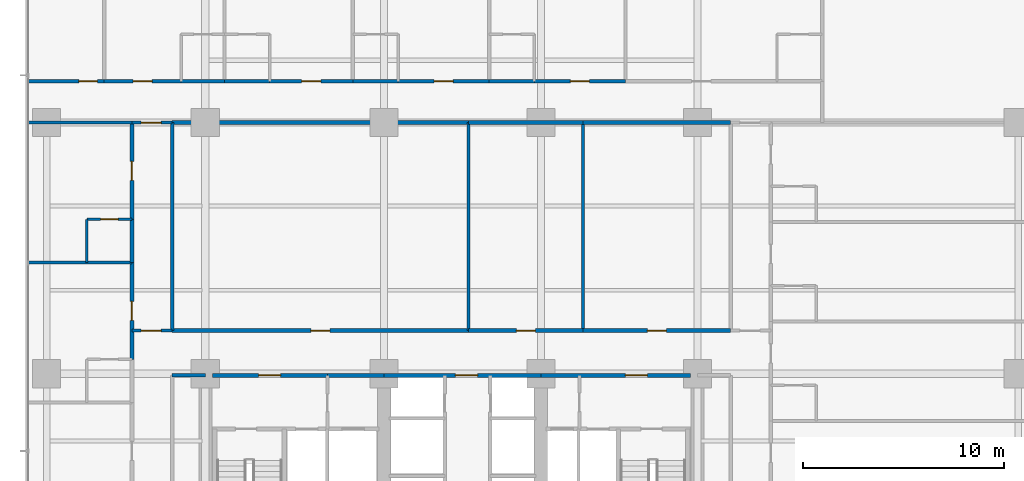
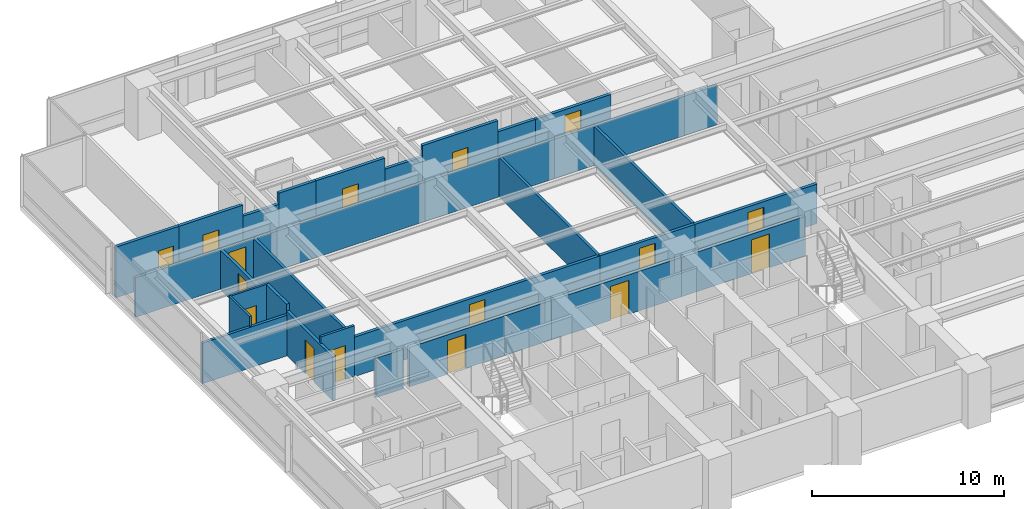
# One storey, part 9 of 17: 32 walls, 16 doors, 16 openings.
"""IFC4 building model written with IfcOpenShell, lengths in metres."""

from ifc_helpers import new_model, si_unit, direction, frame, frame_2d, origin, place, context, subcontext, project, spatial, rectangle, extrude, material, layer, layer_set, type_object, element, fill, save


model = new_model("IFC4")

# Units and contexts
model_context = context("Model", 3, precision=1e-05, world=origin(), true_north=direction((0.0, 1.0)))
body_context = subcontext(model_context, "Body", "Model", "MODEL_VIEW")
ifc_project = project(units=[si_unit("LENGTHUNIT", "METRE"), si_unit("AREAUNIT", "SQUARE_METRE"), si_unit("VOLUMEUNIT", "CUBIC_METRE"), si_unit("PLANEANGLEUNIT", "RADIAN"), si_unit("MASSUNIT", "GRAM", prefix="KILO")], contexts=[model_context])

# Site, building, storey
site_placement = place(None, origin())
site = spatial("IfcSite", under=ifc_project, at=site_placement, CompositionType="ELEMENT")
building_placement = place(site_placement, origin())
building = spatial("IfcBuilding", under=site, at=building_placement, Name="Qalmaran Belvedere Hotel", CompositionType="ELEMENT")
storey_placement = place(building_placement, frame((0.0, 0.0, 33.39990234375)))
storey = spatial("IfcBuildingStorey", under=building, at=storey_placement, Name="L07", CompositionType="ELEMENT", Elevation=33.39990234375)

# Wall, opening, door
ifc_material_1 = material(Name="Moisture-Resistant Gypsum")
ifc_layer_1 = layer(ifc_material_1, 0.1201171875, Name="Moisture-Resistant Gypsum")
ifc_layer_set_1 = layer_set([ifc_layer_1], Name="Moisture-Resistant Gypsum")
wall_type_1 = type_object("IfcWallType", Name="WL-INT-120-BATH", PredefinedType="PARTITIONING", material=ifc_layer_set_1)
wall_1_placement = place(storey_placement, frame((14.39990234375, 28.183349609375, 0.0), z_axis=(0.0, 0.0, 1.0), x_axis=(1.0, 0.0, 0.0)))
wall_1 = element("IfcWall", 1, at=wall_1_placement, inside=storey, type_object=wall_type_1, Name="L07 Partition WL-L07-WBN02", PredefinedType="PARTITIONING", context=body_context, shape_type="SweptSolid", body=[
    extrude(rectangle(XDim=2.25, YDim=0.1201171875, at=frame_2d((1.125, 0.0))), origin(), (0.0, 0.0, 1.0), 3.22021484375),
])
opening_1_placement = place(wall_1_placement, frame((1.56494140625, 0.0, 0.0), z_axis=(0.0, 0.0, 1.0), x_axis=(-1.0, 0.0, 0.0)))
opening_1 = element("IfcOpeningElement", 2, at=opening_1_placement, cuts=wall_1, Name="Opening D-BATH", PredefinedType="OPENING", context=body_context, shape_type="SweptSolid", body=[
    extrude(rectangle(XDim=0.8798828125, YDim=2.080078125, at=frame_2d((0.43994140625, 1.0400390625))), frame((0.0, 0.070068359375, 0.0), z_axis=(0.0, -1.0, 0.0), x_axis=(1.0, 0.0, 0.0)), (0.0, 0.0, 1.0), 0.14013671875),
])
ifc_material_2 = material(Name="Engineered Oak Veneer")
door_type_1 = type_object("IfcDoorType", Name="DR-INT-BATH-880X2080", OperationType="NOTDEFINED", PredefinedType="DOOR", material=ifc_material_2)
door_1_placement = place(opening_1_placement, origin())
door_1 = element("IfcDoor", 3, at=door_1_placement, inside=storey, type_object=door_type_1, Name="L07 W Ensuite Door 03", OperationType="SINGLE_SWING_RIGHT", OverallHeight=2.080078125, OverallWidth=0.8798828125, PredefinedType="DOOR", context=body_context, shape_type="SweptSolid", body=[
    extrude(rectangle(XDim=0.8798828125, YDim=2.080078125, at=frame_2d((0.43994140625, 1.0400390625))), frame((0.0, 0.02490234375, 0.0), z_axis=(0.0, -1.0, 0.0), x_axis=(1.0, 0.0, 0.0)), (0.0, 0.0, 1.0), 0.050048828125),
])
fill(opening_1, door_1)

# Wall
wall_2_placement = place(storey_placement, frame((14.39990234375, 26.033203125, 0.0), z_axis=(0.0, 0.0, 1.0), x_axis=(0.0, 1.0, 0.0)))
element("IfcWall", 4, at=wall_2_placement, inside=storey, type_object=wall_type_1, Name="L07 Partition WL-L07-WBS02", PredefinedType="PARTITIONING", context=body_context, shape_type="SweptSolid", body=[
    extrude(rectangle(XDim=2.150146484375, YDim=0.1201171875, at=frame_2d((1.0751953125, 0.0))), origin(), (0.0, 0.0, 1.0), 3.22021484375),
])

# Wall, opening, door
ifc_material_3 = material(Name="Gypsum Stud Partition")
ifc_layer_2 = layer(ifc_material_3, 0.14990234375, Name="Gypsum Stud Partition")
ifc_layer_set_2 = layer_set([ifc_layer_2], Name="Gypsum Stud Partition")
wall_type_2 = type_object("IfcWallType", Name="WL-INT-150-EI60", PredefinedType="PARTITIONING", material=ifc_layer_set_2)
wall_3_placement = place(storey_placement, frame((16.64990234375, 22.64990234375, 0.0), z_axis=(0.0, 0.0, 1.0), x_axis=(1.0, 0.0, 0.0)))
wall_3 = element("IfcWall", 5, at=wall_3_placement, inside=storey, type_object=wall_type_2, Name="L07 Partition WL-L07-XCW1", PredefinedType="PARTITIONING", context=body_context, shape_type="SweptSolid", body=[
    extrude(rectangle(XDim=2.0, YDim=0.14990234375, at=frame_2d((1.0, 0.0))), origin(), (0.0, 0.0, 1.0), 3.22021484375),
])
opening_2_placement = place(wall_3_placement, frame((0.449951171875, 0.0, 0.0)))
opening_2 = element("IfcOpeningElement", 6, at=opening_2_placement, cuts=wall_3, Name="Opening FD90B", PredefinedType="OPENING", context=body_context, shape_type="SweptSolid", body=[
    extrude(rectangle(XDim=1.0, YDim=2.14990234375, at=frame_2d((0.5, 1.074951171875))), frame((0.0, 0.0849609375, 0.0), z_axis=(0.0, -1.0, 0.0), x_axis=(1.0, 0.0, 0.0)), (0.0, 0.0, 1.0), 0.169921875),
])
ifc_material_4 = material(Name="Steel S355JR", Category="steel")
door_type_2 = type_object("IfcDoorType", Name="DR-FD90B-1000X2150", OperationType="NOTDEFINED", PredefinedType="DOOR", material=ifc_material_4)
door_2_placement = place(opening_2_placement, origin())
door_2 = element("IfcDoor", 7, at=door_2_placement, inside=storey, type_object=door_type_2, Name="L07 West Corridor Smoke Door S", OperationType="SINGLE_SWING_LEFT", OverallHeight=2.14990234375, OverallWidth=1.0, PredefinedType="DOOR", context=body_context, shape_type="SweptSolid", body=[
    extrude(rectangle(XDim=1.0, YDim=2.14990234375, at=frame_2d((0.5, 1.074951171875))), frame((0.0, 0.02490234375, 0.0), z_axis=(0.0, -1.0, 0.0), x_axis=(1.0, 0.0, 0.0)), (0.0, 0.0, 1.0), 0.050048828125),
])
fill(opening_2, door_2)

wall_4_placement = place(storey_placement, frame((16.64990234375, 33.0, 0.0), z_axis=(0.0, 0.0, 1.0), x_axis=(1.0, 0.0, 0.0)))
wall_4 = element("IfcWall", 8, at=wall_4_placement, inside=storey, type_object=wall_type_2, Name="L07 Partition WL-L07-XCW2", PredefinedType="PARTITIONING", context=body_context, shape_type="SweptSolid", body=[
    extrude(rectangle(XDim=2.0, YDim=0.14990234375, at=frame_2d((1.0, 0.0))), origin(), (0.0, 0.0, 1.0), 2.510009765625),
])
opening_3_placement = place(wall_4_placement, frame((0.449951171875, 0.0, 0.0)))
opening_3 = element("IfcOpeningElement", 9, at=opening_3_placement, cuts=wall_4, Name="Opening FD90B", PredefinedType="OPENING", context=body_context, shape_type="SweptSolid", body=[
    extrude(rectangle(XDim=1.0, YDim=2.14990234375, at=frame_2d((0.5, 1.074951171875))), frame((0.0, 0.0849609375, 0.0), z_axis=(0.0, -1.0, 0.0), x_axis=(1.0, 0.0, 0.0)), (0.0, 0.0, 1.0), 0.169921875),
])
door_3_placement = place(opening_3_placement, origin())
door_3 = element("IfcDoor", 10, at=door_3_placement, inside=storey, type_object=door_type_2, Name="L07 West Corridor Smoke Door N", OperationType="SINGLE_SWING_RIGHT", OverallHeight=2.14990234375, OverallWidth=1.0, PredefinedType="DOOR", context=body_context, shape_type="SweptSolid", body=[
    extrude(rectangle(XDim=1.0, YDim=2.14990234375, at=frame_2d((0.5, 1.074951171875))), frame((0.0, 0.02490234375, 0.0), z_axis=(0.0, -1.0, 0.0), x_axis=(1.0, 0.0, 0.0)), (0.0, 0.0, 1.0), 0.050048828125),
])
fill(opening_3, door_3)

# Walls
ifc_layer_3 = layer(ifc_material_3, 0.159912109375, Name="Gypsum Stud Partition")
ifc_layer_set_3 = layer_set([ifc_layer_3], Name="Gypsum Stud Partition")
wall_type_3 = type_object("IfcWallType", Name="WL-INT-160-EI60", PredefinedType="PARTITIONING", material=ifc_layer_set_3)
wall_5_placement = place(storey_placement, frame((18.64990234375, 20.419921875, 0.0), z_axis=(0.0, 0.0, 1.0), x_axis=(1.0, 0.0, 0.0)))
element("IfcWall", 11, at=wall_5_placement, inside=storey, type_object=wall_type_3, Name="L07 Partition WL-L07-WCLN", PredefinedType="PARTITIONING", context=body_context, shape_type="SweptSolid", body=[
    extrude(rectangle(XDim=1.650146484375, YDim=0.159912109375, at=frame_2d((0.8251953125, 0.0))), origin(), (0.0, 0.0, 1.0), 2.510009765625),
])
for number, where, z_axis, x_axis, name in (
    (12, (18.64990234375, 22.64990234375, 0.0), (0.0, 0.0, 1.0), (0.0, 1.0, 0.0), "L07 Partition WL-L07-MIDVL"),
    (13, (33.39990234375, 22.64990234375, 0.0), (0.0, 0.0, 1.0), (0.0, 1.0, 0.0), "L07 Partition WL-L07-MIDVR1"),
    (14, (39.10009765625, 22.64990234375, 0.0), (0.0, 0.0, 1.0), (0.0, 1.0, 0.0), "L07 Partition WL-L07-MIDVR2"),
):
    element("IfcWall", number, at=place(storey_placement, frame(where, z_axis=z_axis, x_axis=x_axis)), inside=storey, type_object=wall_type_3, Name=name, PredefinedType="PARTITIONING", context=body_context, shape_type="SweptSolid", body=[
        extrude(rectangle(XDim=10.35009765625, YDim=0.159912109375, at=frame_2d((5.175048828125, 0.0))), origin(), (0.0, 0.0, 1.0), 2.510009765625),
    ])
wall_6_placement = place(storey_placement, frame((11.469970703125, 26.033203125, 0.0), z_axis=(0.0, 0.0, 1.0), x_axis=(1.0, 0.0, 0.0)))
element("IfcWall", 15, at=wall_6_placement, inside=storey, type_object=wall_type_3, Name="L07 Partition WL-L07-WU01", PredefinedType="PARTITIONING", context=body_context, shape_type="SweptSolid", body=[
    extrude(rectangle(XDim=5.179931640625, YDim=0.159912109375, at=frame_2d((2.58984375, 0.0))), origin(), (0.0, 0.0, 1.0), 2.5830078125),
])
wall_7_placement = place(storey_placement, frame((11.469970703125, 33.0, 0.0), z_axis=(0.0, 0.0, 1.0), x_axis=(1.0, 0.0, 0.0)))
element("IfcWall", 16, at=wall_7_placement, inside=storey, type_object=wall_type_3, Name="L07 Partition WL-L07-WU02", PredefinedType="PARTITIONING", context=body_context, shape_type="SweptSolid", body=[
    extrude(rectangle(XDim=5.179931640625, YDim=0.159912109375, at=frame_2d((2.58984375, 0.0))), origin(), (0.0, 0.0, 1.0), 2.510009765625),
])

# Wall, opening, door
ifc_layer_4 = layer(ifc_material_3, 0.179931640625, Name="Gypsum Stud Partition")
ifc_layer_set_4 = layer_set([ifc_layer_4], Name="Gypsum Stud Partition")
wall_type_4 = type_object("IfcWallType", Name="WL-INT-180-EI60", PredefinedType="PARTITIONING", material=ifc_layer_set_4)
wall_8_placement = place(storey_placement, frame((18.64990234375, 22.64990234375, 0.0), z_axis=(0.0, 0.0, 1.0), x_axis=(1.0, 0.0, 0.0)))
wall_8 = element("IfcWall", 17, at=wall_8_placement, inside=storey, type_object=wall_type_4, Name="L07 Partition WL-L07-MIDD1", PredefinedType="PARTITIONING", context=body_context, shape_type="SweptSolid", body=[
    extrude(rectangle(XDim=14.75, YDim=0.179931640625, at=frame_2d((7.375, 0.0))), origin(), (0.0, 0.0, 1.0), 2.510009765625),
])
opening_4_placement = place(wall_8_placement, frame((6.89990234375, 0.0, 0.0)))
opening_4 = element("IfcOpeningElement", 18, at=opening_4_placement, cuts=wall_8, Name="Opening FD60", PredefinedType="OPENING", context=body_context, shape_type="SweptSolid", body=[
    extrude(rectangle(XDim=0.949951171875, YDim=2.14990234375, at=frame_2d((0.47509765625, 1.074951171875))), frame((0.0, 0.10009765625, 0.0), z_axis=(0.0, -1.0, 0.0), x_axis=(1.0, 0.0, 0.0)), (0.0, 0.0, 1.0), 0.199951171875),
])
door_type_3 = type_object("IfcDoorType", Name="DR-FD60-950X2150", OperationType="NOTDEFINED", PredefinedType="DOOR", material=ifc_material_2)
door_4_placement = place(opening_4_placement, origin())
door_4 = element("IfcDoor", 19, at=door_4_placement, inside=storey, type_object=door_type_3, Name="L07 Housekeeping and Linen Room Door", OperationType="SINGLE_SWING_LEFT", OverallHeight=2.14990234375, OverallWidth=0.949951171875, PredefinedType="DOOR", context=body_context, shape_type="SweptSolid", body=[
    extrude(rectangle(XDim=0.949951171875, YDim=2.14990234375, at=frame_2d((0.47509765625, 1.074951171875))), frame((0.0, 0.02490234375, 0.0), z_axis=(0.0, -1.0, 0.0), x_axis=(1.0, 0.0, 0.0)), (0.0, 0.0, 1.0), 0.050048828125),
])
fill(opening_4, door_4)

# Wall
wall_9_placement = place(storey_placement, frame((18.64990234375, 33.0, 0.0), z_axis=(0.0, 0.0, 1.0), x_axis=(1.0, 0.0, 0.0)))
element("IfcWall", 20, at=wall_9_placement, inside=storey, type_object=wall_type_4, Name="L07 Partition WL-L07-MIDO1", PredefinedType="PARTITIONING", context=body_context, shape_type="SweptSolid", body=[
    extrude(rectangle(XDim=14.75, YDim=0.179931640625, at=frame_2d((7.375, 0.0))), origin(), (0.0, 0.0, 1.0), 2.510009765625),
])

# Wall, opening, door
wall_10_placement = place(storey_placement, frame((33.39990234375, 22.64990234375, 0.0), z_axis=(0.0, 0.0, 1.0), x_axis=(1.0, 0.0, 0.0)))
wall_10 = element("IfcWall", 21, at=wall_10_placement, inside=storey, type_object=wall_type_4, Name="L07 Partition WL-L07-MIDD2", PredefinedType="PARTITIONING", context=body_context, shape_type="SweptSolid", body=[
    extrude(rectangle(XDim=5.7001953125, YDim=0.179931640625, at=frame_2d((2.85009765625, 0.0))), origin(), (0.0, 0.0, 1.0), 2.510009765625),
])
opening_5_placement = place(wall_10_placement, frame((2.375, 0.0, 0.0)))
opening_5 = element("IfcOpeningElement", 22, at=opening_5_placement, cuts=wall_10, Name="Opening FD60", PredefinedType="OPENING", context=body_context, shape_type="SweptSolid", body=[
    extrude(rectangle(XDim=0.949951171875, YDim=2.14990234375, at=frame_2d((0.47509765625, 1.074951171875))), frame((0.0, 0.10009765625, 0.0), z_axis=(0.0, -1.0, 0.0), x_axis=(1.0, 0.0, 0.0)), (0.0, 0.0, 1.0), 0.199951171875),
])
door_5_placement = place(opening_5_placement, origin())
door_5 = element("IfcDoor", 23, at=door_5_placement, inside=storey, type_object=door_type_3, Name="L07 Yoga Spa Door", OperationType="SINGLE_SWING_RIGHT", OverallHeight=2.14990234375, OverallWidth=0.949951171875, PredefinedType="DOOR", context=body_context, shape_type="SweptSolid", body=[
    extrude(rectangle(XDim=0.949951171875, YDim=2.14990234375, at=frame_2d((0.47509765625, 1.074951171875))), frame((0.0, 0.02490234375, 0.0), z_axis=(0.0, -1.0, 0.0), x_axis=(1.0, 0.0, 0.0)), (0.0, 0.0, 1.0), 0.050048828125),
])
fill(opening_5, door_5)

# Wall
wall_11_placement = place(storey_placement, frame((33.39990234375, 33.0, 0.0), z_axis=(0.0, 0.0, 1.0), x_axis=(1.0, 0.0, 0.0)))
element("IfcWall", 24, at=wall_11_placement, inside=storey, type_object=wall_type_4, Name="L07 Partition WL-L07-MIDO2", PredefinedType="PARTITIONING", context=body_context, shape_type="SweptSolid", body=[
    extrude(rectangle(XDim=5.7001953125, YDim=0.179931640625, at=frame_2d((2.85009765625, 0.0))), origin(), (0.0, 0.0, 1.0), 2.510009765625),
])

# Wall, opening, door
wall_12_placement = place(storey_placement, frame((39.10009765625, 22.64990234375, 0.0), z_axis=(0.0, 0.0, 1.0), x_axis=(1.0, 0.0, 0.0)))
wall_12 = element("IfcWall", 25, at=wall_12_placement, inside=storey, type_object=wall_type_4, Name="L07 Partition WL-L07-MIDD3", PredefinedType="PARTITIONING", context=body_context, shape_type="SweptSolid", body=[
    extrude(rectangle(XDim=7.349853515625, YDim=0.179931640625, at=frame_2d((3.6748046875, 0.0))), origin(), (0.0, 0.0, 1.0), 2.510009765625),
])
opening_6_placement = place(wall_12_placement, frame((3.199951171875, 0.0, 0.0)))
opening_6 = element("IfcOpeningElement", 26, at=opening_6_placement, cuts=wall_12, Name="Opening FD60", PredefinedType="OPENING", context=body_context, shape_type="SweptSolid", body=[
    extrude(rectangle(XDim=0.949951171875, YDim=2.14990234375, at=frame_2d((0.47509765625, 1.074951171875))), frame((0.0, 0.10009765625, 0.0), z_axis=(0.0, -1.0, 0.0), x_axis=(1.0, 0.0, 0.0)), (0.0, 0.0, 1.0), 0.199951171875),
])
door_6_placement = place(opening_6_placement, origin())
door_6 = element("IfcDoor", 27, at=door_6_placement, inside=storey, type_object=door_type_3, Name="L07 Fitness Gym Door", OperationType="SINGLE_SWING_LEFT", OverallHeight=2.14990234375, OverallWidth=0.949951171875, PredefinedType="DOOR", context=body_context, shape_type="SweptSolid", body=[
    extrude(rectangle(XDim=0.949951171875, YDim=2.14990234375, at=frame_2d((0.47509765625, 1.074951171875))), frame((0.0, 0.02490234375, 0.0), z_axis=(0.0, -1.0, 0.0), x_axis=(1.0, 0.0, 0.0)), (0.0, 0.0, 1.0), 0.050048828125),
])
fill(opening_6, door_6)

# Walls
wall_13_placement = place(storey_placement, frame((39.10009765625, 33.0, 0.0), z_axis=(0.0, 0.0, 1.0), x_axis=(1.0, 0.0, 0.0)))
element("IfcWall", 28, at=wall_13_placement, inside=storey, type_object=wall_type_4, Name="L07 Partition WL-L07-MIDO3", PredefinedType="PARTITIONING", context=body_context, shape_type="SweptSolid", body=[
    extrude(rectangle(XDim=7.349853515625, YDim=0.179931640625, at=frame_2d((3.6748046875, 0.0))), origin(), (0.0, 0.0, 1.0), 2.510009765625),
])
wall_14_placement = place(storey_placement, frame((19.096435546875, 35.050048828125, 0.0), z_axis=(0.0, 0.0, 1.0), x_axis=(1.0, 0.0, 0.0)))
element("IfcWall", 29, at=wall_14_placement, inside=storey, type_object=wall_type_4, Name="L07 Partition WL-L07-NBC00", PredefinedType="PARTITIONING", context=body_context, shape_type="SweptSolid", body=[
    extrude(rectangle(XDim=2.16015625, YDim=0.179931640625, at=frame_2d((1.080078125, 0.0))), origin(), (0.0, 0.0, 1.0), 2.510009765625),
])

# Wall, opening, door
wall_15_placement = place(storey_placement, frame((15.27001953125, 35.050048828125, 0.0), z_axis=(0.0, 0.0, 1.0), x_axis=(1.0, 0.0, 0.0)))
wall_15 = element("IfcWall", 30, at=wall_15_placement, inside=storey, type_object=wall_type_4, Name="L07 Partition WL-L07-NEC00", PredefinedType="PARTITIONING", context=body_context, shape_type="SweptSolid", body=[
    extrude(rectangle(XDim=3.826416015625, YDim=0.179931640625, at=frame_2d((1.9130859375, 0.0))), origin(), (0.0, 0.0, 1.0), 3.22021484375),
])
opening_7_placement = place(wall_15_placement, frame((1.438232421875, 0.0, 0.0)))
opening_7 = element("IfcOpeningElement", 31, at=opening_7_placement, cuts=wall_15, Name="Opening FD60", PredefinedType="OPENING", context=body_context, shape_type="SweptSolid", body=[
    extrude(rectangle(XDim=0.949951171875, YDim=2.14990234375, at=frame_2d((0.47509765625, 1.074951171875))), frame((0.0, 0.10009765625, 0.0), z_axis=(0.0, -1.0, 0.0), x_axis=(1.0, 0.0, 0.0)), (0.0, 0.0, 1.0), 0.199951171875),
])
door_7_placement = place(opening_7_placement, origin())
door_7 = element("IfcDoor", 32, at=door_7_placement, inside=storey, type_object=door_type_3, Name="L07 Guest Entrance Door N01", OperationType="SINGLE_SWING_LEFT", OverallHeight=2.14990234375, OverallWidth=0.949951171875, PredefinedType="DOOR", context=body_context, shape_type="SweptSolid", body=[
    extrude(rectangle(XDim=0.949951171875, YDim=2.14990234375, at=frame_2d((0.47509765625, 1.074951171875))), frame((0.0, 0.02490234375, 0.0), z_axis=(0.0, -1.0, 0.0), x_axis=(1.0, 0.0, 0.0)), (0.0, 0.0, 1.0), 0.050048828125),
])
fill(opening_7, door_7)

# Wall
wall_16_placement = place(storey_placement, frame((21.256591796875, 35.050048828125, 0.0), z_axis=(0.0, 0.0, 1.0), x_axis=(1.0, 0.0, 0.0)))
element("IfcWall", 33, at=wall_16_placement, inside=storey, type_object=wall_type_4, Name="L07 Partition WL-L07-NBC01", PredefinedType="PARTITIONING", context=body_context, shape_type="SweptSolid", body=[
    extrude(rectangle(XDim=2.25, YDim=0.179931640625, at=frame_2d((1.125, 0.0))), origin(), (0.0, 0.0, 1.0), 3.22021484375),
])

# Wall, opening, door
wall_17_placement = place(storey_placement, frame((23.506591796875, 35.050048828125, 0.0), z_axis=(0.0, 0.0, 1.0), x_axis=(1.0, 0.0, 0.0)))
wall_17 = element("IfcWall", 34, at=wall_17_placement, inside=storey, type_object=wall_type_4, Name="L07 Partition WL-L07-NEC01", PredefinedType="PARTITIONING", context=body_context, shape_type="SweptSolid", body=[
    extrude(rectangle(XDim=4.135498046875, YDim=0.179931640625, at=frame_2d((2.06787109375, 0.0))), origin(), (0.0, 0.0, 1.0), 3.22021484375),
])
opening_8_placement = place(wall_17_placement, frame((1.5927734375, 0.0, 0.0)))
opening_8 = element("IfcOpeningElement", 35, at=opening_8_placement, cuts=wall_17, Name="Opening FD60", PredefinedType="OPENING", context=body_context, shape_type="SweptSolid", body=[
    extrude(rectangle(XDim=0.949951171875, YDim=2.14990234375, at=frame_2d((0.47509765625, 1.074951171875))), frame((0.0, 0.10009765625, 0.0), z_axis=(0.0, -1.0, 0.0), x_axis=(1.0, 0.0, 0.0)), (0.0, 0.0, 1.0), 0.199951171875),
])
door_8_placement = place(opening_8_placement, origin())
door_8 = element("IfcDoor", 36, at=door_8_placement, inside=storey, type_object=door_type_3, Name="L07 Guest Entrance Door N02", OperationType="SINGLE_SWING_LEFT", OverallHeight=2.14990234375, OverallWidth=0.949951171875, PredefinedType="DOOR", context=body_context, shape_type="SweptSolid", body=[
    extrude(rectangle(XDim=0.949951171875, YDim=2.14990234375, at=frame_2d((0.47509765625, 1.074951171875))), frame((0.0, 0.02490234375, 0.0), z_axis=(0.0, -1.0, 0.0), x_axis=(1.0, 0.0, 0.0)), (0.0, 0.0, 1.0), 0.050048828125),
])
fill(opening_8, door_8)

# Wall
wall_18_placement = place(storey_placement, frame((27.64208984375, 35.050048828125, 0.0), z_axis=(0.0, 0.0, 1.0), x_axis=(1.0, 0.0, 0.0)))
element("IfcWall", 37, at=wall_18_placement, inside=storey, type_object=wall_type_4, Name="L07 Partition WL-L07-NBC02", PredefinedType="PARTITIONING", context=body_context, shape_type="SweptSolid", body=[
    extrude(rectangle(XDim=2.25, YDim=0.179931640625, at=frame_2d((1.125, 0.0))), origin(), (0.0, 0.0, 1.0), 2.510009765625),
])

# Wall, opening, door
wall_19_placement = place(storey_placement, frame((29.89208984375, 35.050048828125, 0.0), z_axis=(0.0, 0.0, 1.0), x_axis=(1.0, 0.0, 0.0)))
wall_19 = element("IfcWall", 38, at=wall_19_placement, inside=storey, type_object=wall_type_4, Name="L07 Partition WL-L07-NEC02", PredefinedType="PARTITIONING", context=body_context, shape_type="SweptSolid", body=[
    extrude(rectangle(XDim=4.53466796875, YDim=0.179931640625, at=frame_2d((2.267333984375, 0.0))), origin(), (0.0, 0.0, 1.0), 3.22021484375),
])
opening_9_placement = place(wall_19_placement, frame((1.79248046875, 0.0, 0.0)))
opening_9 = element("IfcOpeningElement", 39, at=opening_9_placement, cuts=wall_19, Name="Opening FD60", PredefinedType="OPENING", context=body_context, shape_type="SweptSolid", body=[
    extrude(rectangle(XDim=0.949951171875, YDim=2.14990234375, at=frame_2d((0.47509765625, 1.074951171875))), frame((0.0, 0.10009765625, 0.0), z_axis=(0.0, -1.0, 0.0), x_axis=(1.0, 0.0, 0.0)), (0.0, 0.0, 1.0), 0.199951171875),
])
door_9_placement = place(opening_9_placement, origin())
door_9 = element("IfcDoor", 40, at=door_9_placement, inside=storey, type_object=door_type_3, Name="L07 Guest Entrance Door N03", OperationType="SINGLE_SWING_LEFT", OverallHeight=2.14990234375, OverallWidth=0.949951171875, PredefinedType="DOOR", context=body_context, shape_type="SweptSolid", body=[
    extrude(rectangle(XDim=0.949951171875, YDim=2.14990234375, at=frame_2d((0.47509765625, 1.074951171875))), frame((0.0, 0.02490234375, 0.0), z_axis=(0.0, -1.0, 0.0), x_axis=(1.0, 0.0, 0.0)), (0.0, 0.0, 1.0), 0.050048828125),
])
fill(opening_9, door_9)

# Wall
wall_20_placement = place(storey_placement, frame((34.4267578125, 35.050048828125, 0.0), z_axis=(0.0, 0.0, 1.0), x_axis=(1.0, 0.0, 0.0)))
element("IfcWall", 41, at=wall_20_placement, inside=storey, type_object=wall_type_4, Name="L07 Partition WL-L07-NBC03", PredefinedType="PARTITIONING", context=body_context, shape_type="SweptSolid", body=[
    extrude(rectangle(XDim=2.25, YDim=0.179931640625, at=frame_2d((1.125, 0.0))), origin(), (0.0, 0.0, 1.0), 2.510009765625),
])

# Wall, opening, door
wall_21_placement = place(storey_placement, frame((36.6767578125, 35.050048828125, 0.0), z_axis=(0.0, 0.0, 1.0), x_axis=(1.0, 0.0, 0.0)))
wall_21 = element("IfcWall", 42, at=wall_21_placement, inside=storey, type_object=wall_type_4, Name="L07 Partition WL-L07-NEC03", PredefinedType="PARTITIONING", context=body_context, shape_type="SweptSolid", body=[
    extrude(rectangle(XDim=4.53466796875, YDim=0.179931640625, at=frame_2d((2.267333984375, 0.0))), origin(), (0.0, 0.0, 1.0), 2.510009765625),
])
opening_10_placement = place(wall_21_placement, frame((1.79248046875, 0.0, 0.0)))
opening_10 = element("IfcOpeningElement", 43, at=opening_10_placement, cuts=wall_21, Name="Opening FD60", PredefinedType="OPENING", context=body_context, shape_type="SweptSolid", body=[
    extrude(rectangle(XDim=0.949951171875, YDim=2.14990234375, at=frame_2d((0.47509765625, 1.074951171875))), frame((0.0, 0.10009765625, 0.0), z_axis=(0.0, -1.0, 0.0), x_axis=(1.0, 0.0, 0.0)), (0.0, 0.0, 1.0), 0.199951171875),
])
door_10_placement = place(opening_10_placement, origin())
door_10 = element("IfcDoor", 44, at=door_10_placement, inside=storey, type_object=door_type_3, Name="L07 Guest Entrance Door N04", OperationType="SINGLE_SWING_LEFT", OverallHeight=2.14990234375, OverallWidth=0.949951171875, PredefinedType="DOOR", context=body_context, shape_type="SweptSolid", body=[
    extrude(rectangle(XDim=0.949951171875, YDim=2.14990234375, at=frame_2d((0.47509765625, 1.074951171875))), frame((0.0, 0.02490234375, 0.0), z_axis=(0.0, -1.0, 0.0), x_axis=(1.0, 0.0, 0.0)), (0.0, 0.0, 1.0), 0.050048828125),
])
fill(opening_10, door_10)

wall_22_placement = place(storey_placement, frame((16.64990234375, 21.216796875, 0.0), z_axis=(0.0, 0.0, 1.0), x_axis=(0.0, 1.0, 0.0)))
wall_22 = element("IfcWall", 45, at=wall_22_placement, inside=storey, type_object=wall_type_4, Name="L07 Partition WL-L07-WEC01", PredefinedType="PARTITIONING", context=body_context, shape_type="SweptSolid", body=[
    extrude(rectangle(XDim=4.81640625, YDim=0.179931640625, at=frame_2d((2.408203125, 0.0))), origin(), (0.0, 0.0, 1.0), 2.7880859375),
])
opening_11_placement = place(wall_22_placement, frame((1.933349609375, 0.0, 0.0)))
opening_11 = element("IfcOpeningElement", 46, at=opening_11_placement, cuts=wall_22, Name="Opening FD60", PredefinedType="OPENING", context=body_context, shape_type="SweptSolid", body=[
    extrude(rectangle(XDim=0.949951171875, YDim=2.14990234375, at=frame_2d((0.47509765625, 1.074951171875))), frame((0.0, 0.10009765625, 0.0), z_axis=(0.0, -1.0, 0.0), x_axis=(1.0, 0.0, 0.0)), (0.0, 0.0, 1.0), 0.199951171875),
])
door_11_placement = place(opening_11_placement, origin())
door_11 = element("IfcDoor", 47, at=door_11_placement, inside=storey, type_object=door_type_3, Name="L07 W Wing Door 02", OperationType="SINGLE_SWING_LEFT", OverallHeight=2.14990234375, OverallWidth=0.949951171875, PredefinedType="DOOR", context=body_context, shape_type="SweptSolid", body=[
    extrude(rectangle(XDim=0.949951171875, YDim=2.14990234375, at=frame_2d((0.47509765625, 1.074951171875))), frame((0.0, 0.02490234375, 0.0), z_axis=(0.0, -1.0, 0.0), x_axis=(1.0, 0.0, 0.0)), (0.0, 0.0, 1.0), 0.050048828125),
])
fill(opening_11, door_11)

# Wall
wall_23_placement = place(storey_placement, frame((16.64990234375, 26.033203125, 0.0), z_axis=(0.0, 0.0, 1.0), x_axis=(0.0, 1.0, 0.0)))
element("IfcWall", 48, at=wall_23_placement, inside=storey, type_object=wall_type_4, Name="L07 Partition WL-L07-WBC02", PredefinedType="PARTITIONING", context=body_context, shape_type="SweptSolid", body=[
    extrude(rectangle(XDim=2.150146484375, YDim=0.179931640625, at=frame_2d((1.0751953125, 0.0))), origin(), (0.0, 0.0, 1.0), 3.22021484375),
])

# Wall, opening, door
wall_24_placement = place(storey_placement, frame((16.64990234375, 28.183349609375, 0.0), z_axis=(0.0, 0.0, 1.0), x_axis=(0.0, 1.0, 0.0)))
wall_24 = element("IfcWall", 49, at=wall_24_placement, inside=storey, type_object=wall_type_4, Name="L07 Partition WL-L07-WEC02", PredefinedType="PARTITIONING", context=body_context, shape_type="SweptSolid", body=[
    extrude(rectangle(XDim=4.816650390625, YDim=0.179931640625, at=frame_2d((2.408203125, 0.0))), origin(), (0.0, 0.0, 1.0), 2.510009765625),
])
opening_12_placement = place(wall_24_placement, frame((1.933349609375, 0.0, 0.0)))
opening_12 = element("IfcOpeningElement", 50, at=opening_12_placement, cuts=wall_24, Name="Opening FD60", PredefinedType="OPENING", context=body_context, shape_type="SweptSolid", body=[
    extrude(rectangle(XDim=0.949951171875, YDim=2.14990234375, at=frame_2d((0.47509765625, 1.074951171875))), frame((0.0, 0.10009765625, 0.0), z_axis=(0.0, -1.0, 0.0), x_axis=(1.0, 0.0, 0.0)), (0.0, 0.0, 1.0), 0.199951171875),
])
door_12_placement = place(opening_12_placement, origin())
door_12 = element("IfcDoor", 51, at=door_12_placement, inside=storey, type_object=door_type_3, Name="L07 W Wing Door 03", OperationType="SINGLE_SWING_LEFT", OverallHeight=2.14990234375, OverallWidth=0.949951171875, PredefinedType="DOOR", context=body_context, shape_type="SweptSolid", body=[
    extrude(rectangle(XDim=0.949951171875, YDim=2.14990234375, at=frame_2d((0.47509765625, 1.074951171875))), frame((0.0, 0.02490234375, 0.0), z_axis=(0.0, -1.0, 0.0), x_axis=(1.0, 0.0, 0.0)), (0.0, 0.0, 1.0), 0.050048828125),
])
fill(opening_12, door_12)

wall_25_placement = place(storey_placement, frame((11.469970703125, 35.050048828125, 0.0), z_axis=(0.0, 0.0, 1.0), x_axis=(1.0, 0.0, 0.0)))
wall_25 = element("IfcWall", 52, at=wall_25_placement, inside=storey, type_object=wall_type_4, Name="L07 Partition WL-L07-NWSD", PredefinedType="PARTITIONING", context=body_context, shape_type="SweptSolid", body=[
    extrude(rectangle(XDim=3.800048828125, YDim=0.179931640625, at=frame_2d((1.89990234375, 0.0))), origin(), (0.0, 0.0, 1.0), 3.22021484375),
])
opening_13_placement = place(wall_25_placement, frame((2.543701171875, 0.0, 0.0)))
opening_13 = element("IfcOpeningElement", 53, at=opening_13_placement, cuts=wall_25, Name="Opening FD60S1", PredefinedType="OPENING", context=body_context, shape_type="SweptSolid", body=[
    extrude(rectangle(XDim=0.919921875, YDim=2.080078125, at=frame_2d((0.4599609375, 1.0400390625))), frame((0.0, 0.10009765625, 0.0), z_axis=(0.0, -1.0, 0.0), x_axis=(1.0, 0.0, 0.0)), (0.0, 0.0, 1.0), 0.199951171875),
])
door_type_4 = type_object("IfcDoorType", Name="DR-FD60S-920X2080", OperationType="NOTDEFINED", PredefinedType="DOOR", material=ifc_material_2)
door_13_placement = place(opening_13_placement, origin())
door_13 = element("IfcDoor", 54, at=door_13_placement, inside=storey, type_object=door_type_4, Name="L07 NW Belvedere Study Door", OperationType="SINGLE_SWING_RIGHT", OverallHeight=2.080078125, OverallWidth=0.919921875, PredefinedType="DOOR", context=body_context, shape_type="SweptSolid", body=[
    extrude(rectangle(XDim=0.919921875, YDim=2.080078125, at=frame_2d((0.4599609375, 1.0400390625))), frame((0.0, 0.02490234375, 0.0), z_axis=(0.0, -1.0, 0.0), x_axis=(1.0, 0.0, 0.0)), (0.0, 0.0, 1.0), 0.050048828125),
])
fill(opening_13, door_13)

ifc_material_5 = material(Name="Concrete C30/37 Blockwork", Category="masonry")
ifc_layer_5 = layer(ifc_material_5, 0.199951171875, Name="Concrete C30/37 Blockwork")
ifc_layer_set_5 = layer_set([ifc_layer_5], Name="Concrete C30/37 Blockwork")
wall_type_5 = type_object("IfcWallType", Name="WL-INT-200-EI120", PredefinedType="PARTITIONING", material=ifc_layer_set_5)
wall_26_placement = place(storey_placement, frame((20.64990234375, 20.419921875, 0.0), z_axis=(0.0, 0.0, 1.0), x_axis=(1.0, 0.0, 0.0)))
wall_26 = element("IfcWall", 55, at=wall_26_placement, inside=storey, type_object=wall_type_5, Name="L07 Partition WL-CN1A-L07", PredefinedType="PARTITIONING", context=body_context, shape_type="SweptSolid", body=[
    extrude(rectangle(XDim=5.72998046875, YDim=0.199951171875, at=frame_2d((2.864990234375, 0.0))), origin(), (0.0, 0.0, 1.0), 2.510009765625),
])
opening_14_placement = place(wall_26_placement, frame((2.300048828125, 0.0, 0.0)))
opening_14 = element("IfcOpeningElement", 56, at=opening_14_placement, cuts=wall_26, Name="Opening FD90", PredefinedType="OPENING", context=body_context, shape_type="SweptSolid", body=[
    extrude(rectangle(XDim=1.10009765625, YDim=2.14990234375, at=frame_2d((0.550048828125, 1.074951171875))), frame((0.0, 0.10986328125, 0.0), z_axis=(0.0, -1.0, 0.0), x_axis=(1.0, 0.0, 0.0)), (0.0, 0.0, 1.0), 0.219970703125),
])
door_type_5 = type_object("IfcDoorType", Name="DR-FD90-1100X2150", OperationType="NOTDEFINED", PredefinedType="DOOR", material=ifc_material_4)
door_14_placement = place(opening_14_placement, origin())
door_14 = element("IfcDoor", 57, at=door_14_placement, inside=storey, type_object=door_type_5, Name="L07 FF1 Lobby Corridor Door", OperationType="SINGLE_SWING_RIGHT", OverallHeight=2.14990234375, OverallWidth=1.10009765625, PredefinedType="DOOR", context=body_context, shape_type="SweptSolid", body=[
    extrude(rectangle(XDim=1.10009765625, YDim=2.14990234375, at=frame_2d((0.550048828125, 1.074951171875))), frame((0.0, 0.02490234375, 0.0), z_axis=(0.0, -1.0, 0.0), x_axis=(1.0, 0.0, 0.0)), (0.0, 0.0, 1.0), 0.050048828125),
])
fill(opening_14, door_14)

# Wall
wall_27_placement = place(storey_placement, frame((26.3798828125, 20.419921875, 0.0), z_axis=(0.0, 0.0, 1.0), x_axis=(1.0, 0.0, 0.0)))
element("IfcWall", 58, at=wall_27_placement, inside=storey, type_object=wall_type_5, Name="L07 Partition WL-CN1B-L07", PredefinedType="PARTITIONING", context=body_context, shape_type="SweptSolid", body=[
    extrude(rectangle(XDim=2.820068359375, YDim=0.199951171875, at=frame_2d((1.41015625, 0.0))), origin(), (0.0, 0.0, 1.0), 2.510009765625),
])

# Wall, opening, door
wall_28_placement = place(storey_placement, frame((29.199951171875, 20.419921875, 0.0), z_axis=(0.0, 0.0, 1.0), x_axis=(1.0, 0.0, 0.0)))
wall_28 = element("IfcWall", 59, at=wall_28_placement, inside=storey, type_object=wall_type_5, Name="L07 Partition WL-CN2-L07", PredefinedType="PARTITIONING", context=body_context, shape_type="SweptSolid", body=[
    extrude(rectangle(XDim=7.800048828125, YDim=0.199951171875, at=frame_2d((3.89990234375, 0.0))), origin(), (0.0, 0.0, 1.0), 2.510009765625),
])
opening_15_placement = place(wall_28_placement, frame((3.550048828125, 0.0, 0.0)))
opening_15 = element("IfcOpeningElement", 60, at=opening_15_placement, cuts=wall_28, Name="Opening FD90", PredefinedType="OPENING", context=body_context, shape_type="SweptSolid", body=[
    extrude(rectangle(XDim=1.10009765625, YDim=2.14990234375, at=frame_2d((0.550048828125, 1.074951171875))), frame((0.0, 0.10986328125, 0.0), z_axis=(0.0, -1.0, 0.0), x_axis=(1.0, 0.0, 0.0)), (0.0, 0.0, 1.0), 0.219970703125),
])
door_15_placement = place(opening_15_placement, origin())
door_15 = element("IfcDoor", 61, at=door_15_placement, inside=storey, type_object=door_type_5, Name="L07 Central Lift Lobby Door", OperationType="SINGLE_SWING_LEFT", OverallHeight=2.14990234375, OverallWidth=1.10009765625, PredefinedType="DOOR", context=body_context, shape_type="SweptSolid", body=[
    extrude(rectangle(XDim=1.10009765625, YDim=2.14990234375, at=frame_2d((0.550048828125, 1.074951171875))), frame((0.0, 0.02490234375, 0.0), z_axis=(0.0, -1.0, 0.0), x_axis=(1.0, 0.0, 0.0)), (0.0, 0.0, 1.0), 0.050048828125),
])
fill(opening_15, door_15)

wall_29_placement = place(storey_placement, frame((37.0, 20.419921875, 0.0), z_axis=(0.0, 0.0, 1.0), x_axis=(1.0, 0.0, 0.0)))
wall_29 = element("IfcWall", 62, at=wall_29_placement, inside=storey, type_object=wall_type_5, Name="L07 Partition WL-CN3-L07", PredefinedType="PARTITIONING", context=body_context, shape_type="SweptSolid", body=[
    extrude(rectangle(XDim=7.449951171875, YDim=0.199951171875, at=frame_2d((3.72509765625, 0.0))), origin(), (0.0, 0.0, 1.0), 2.510009765625),
])
opening_16_placement = place(wall_29_placement, frame((4.199951171875, 0.0, 0.0)))
opening_16 = element("IfcOpeningElement", 63, at=opening_16_placement, cuts=wall_29, Name="Opening FD90", PredefinedType="OPENING", context=body_context, shape_type="SweptSolid", body=[
    extrude(rectangle(XDim=1.10009765625, YDim=2.14990234375, at=frame_2d((0.550048828125, 1.074951171875))), frame((0.0, 0.10986328125, 0.0), z_axis=(0.0, -1.0, 0.0), x_axis=(1.0, 0.0, 0.0)), (0.0, 0.0, 1.0), 0.219970703125),
])
door_16_placement = place(opening_16_placement, origin())
door_16 = element("IfcDoor", 64, at=door_16_placement, inside=storey, type_object=door_type_5, Name="L07 FF2 Lobby Corridor Door", OperationType="SINGLE_SWING_RIGHT", OverallHeight=2.14990234375, OverallWidth=1.10009765625, PredefinedType="DOOR", context=body_context, shape_type="SweptSolid", body=[
    extrude(rectangle(XDim=1.10009765625, YDim=2.14990234375, at=frame_2d((0.550048828125, 1.074951171875))), frame((0.0, 0.02490234375, 0.0), z_axis=(0.0, -1.0, 0.0), x_axis=(1.0, 0.0, 0.0)), (0.0, 0.0, 1.0), 0.050048828125),
])
fill(opening_16, door_16)

save(model, "model.ifc")
